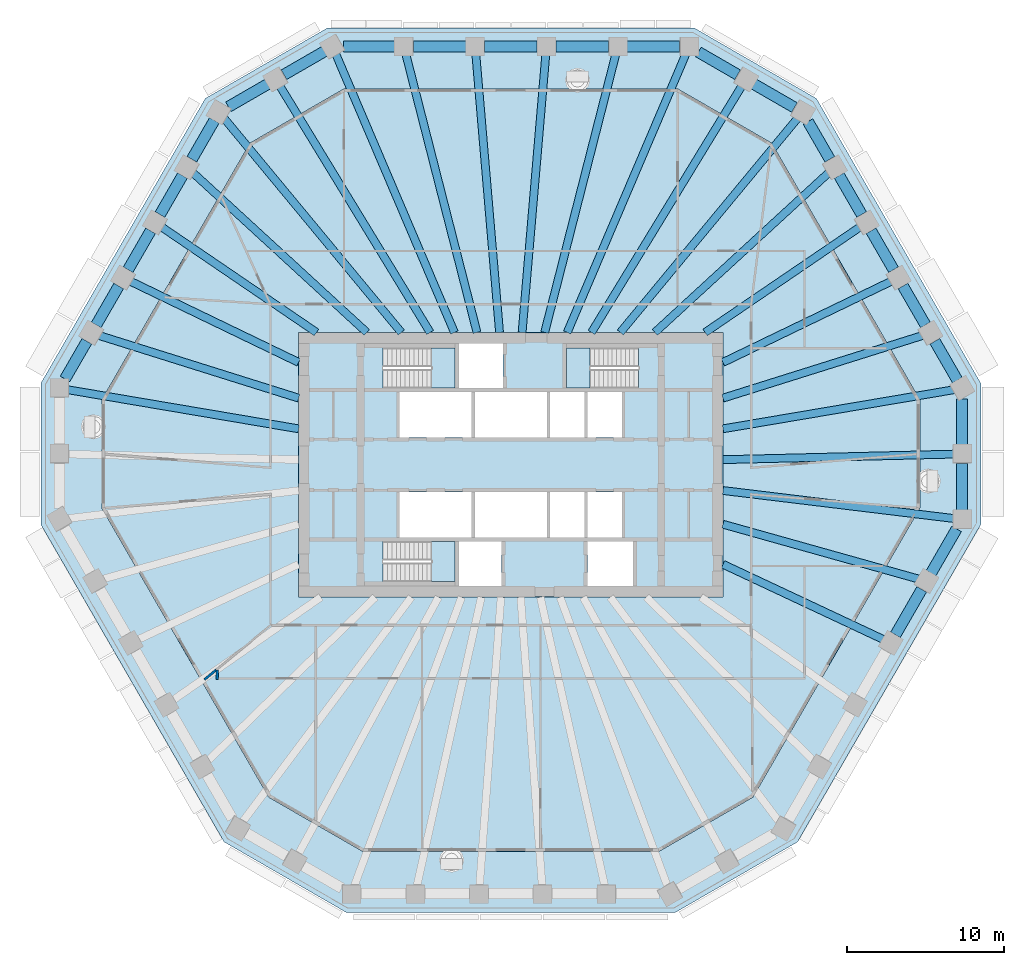
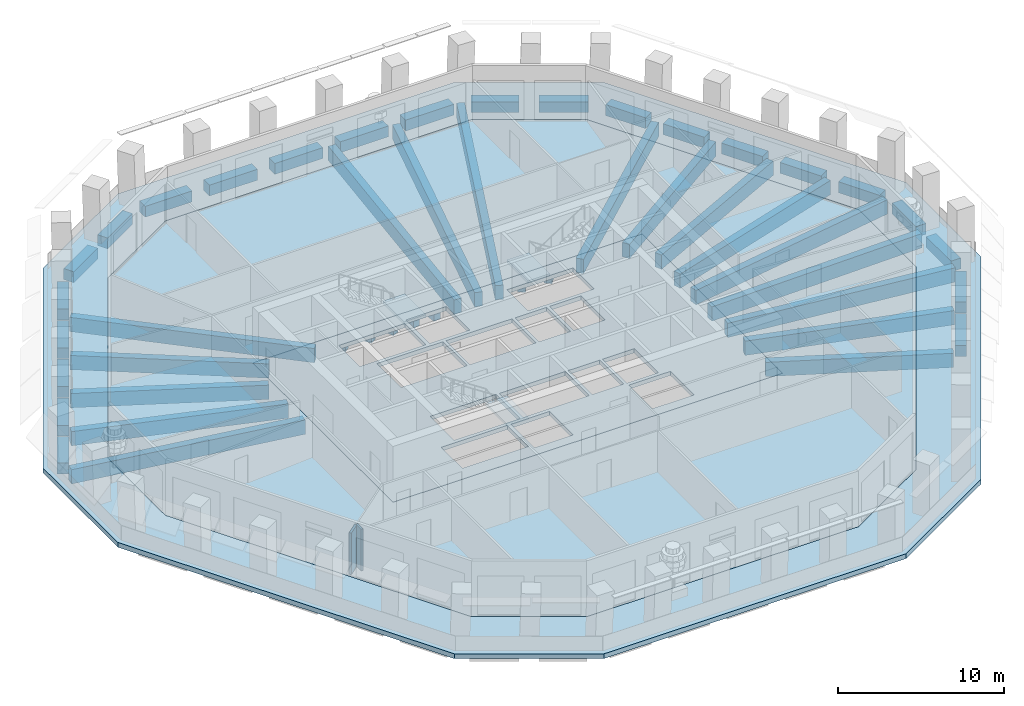
# One storey, part 2 of 13: 47 beams, 6 slabs, 2 walls, 3 elements without a shape of their own.
"""IFC4 building model written with IfcOpenShell, lengths in metres."""

from ifc_helpers import new_model, si_unit, direction, frame, frame_2d, origin, origin_2d, place, context, subcontext, project, spatial, polyline, rectangle, outline, extrude, material, layer, layer_set, material_profile, profile_set, type_object, element, aggregate, save


model = new_model("IFC4")

# Units and contexts
model_context = context("Model", 3, precision=1e-05, world=origin(), true_north=direction((0.0, 1.0)))
body_context = subcontext(model_context, "Body", "Model", "MODEL_VIEW")
ifc_project = project(units=[si_unit("LENGTHUNIT", "METRE"), si_unit("AREAUNIT", "SQUARE_METRE"), si_unit("VOLUMEUNIT", "CUBIC_METRE"), si_unit("PLANEANGLEUNIT", "RADIAN"), si_unit("MASSUNIT", "GRAM", prefix="KILO")], contexts=[model_context])

# Site, building, storey
site_placement = place(None, origin())
site = spatial("IfcSite", under=ifc_project, at=site_placement, CompositionType="ELEMENT")
building_placement = place(site_placement, origin())
building = spatial("IfcBuilding", under=site, at=building_placement, Name="Frailejon Research Tower", CompositionType="ELEMENT")
storey_placement = place(building_placement, frame((0.0, 0.0, 167.199951171875)))
storey = spatial("IfcBuildingStorey", under=building, at=storey_placement, Name="L36", CompositionType="ELEMENT", Elevation=167.199951171875)

# Beams
ifc_material_1 = material(Name="Concrete C60/75", Category="concrete")
ifc_material_profile_1 = material_profile(ifc_material_1, rectangle(XDim=0.5, YDim=1.050048828125, at=origin_2d()), Name="Girder 500x1050")
ifc_profile_set_1 = profile_set([ifc_material_profile_1], Name="Concrete C60/75")
beam_type_1 = type_object("IfcBeamType", Name="Girder 500x1050", PredefinedType="BEAM", material=ifc_profile_set_1)
beam_1_placement = place(storey_placement, frame((28.36083984375, -3.44140625, -0.824951171875), z_axis=(-0.992718787625, 0.120455006935, 0.0), x_axis=(-0.120455006935, -0.992718787625, 0.0)))
element("IfcBeam", 1, at=beam_1_placement, inside=storey, type_object=beam_type_1, Name="Girder 500x1050", PredefinedType="BEAM", context=body_context, shape_type="SweptSolid", body=[
    extrude(rectangle(XDim=0.5, YDim=1.050048828125, at=origin_2d()), origin(), (0.0, 0.0, 1.0), 14.91943359375),
])
beam_2_placement = place(storey_placement, frame((28.362060546875, 0.6806640625, -0.824951171875), z_axis=(-0.999712155975, -0.023991773514, 0.0), x_axis=(0.023991773514, -0.999712155975, 0.0)))
element("IfcBeam", 2, at=beam_2_placement, inside=storey, type_object=beam_type_1, Name="Girder 500x1050", PredefinedType="BEAM", context=body_context, shape_type="SweptSolid", body=[
    extrude(rectangle(XDim=0.5, YDim=1.050048828125, at=origin_2d()), origin(), (0.0, 0.0, 1.0), 14.816162109375),
])
beam_3_placement = place(storey_placement, frame((28.328857421875, 4.797119140625, -0.824951171875), z_axis=(-0.985962699238, -0.166965732149, 0.0), x_axis=(0.166965732149, -0.985962699238, 0.0)))
element("IfcBeam", 3, at=beam_3_placement, inside=storey, type_object=beam_type_1, Name="Girder 500x1050", PredefinedType="BEAM", context=body_context, shape_type="SweptSolid", body=[
    extrude(rectangle(XDim=0.5, YDim=1.050048828125, at=origin_2d()), origin(), (0.0, 0.0, 1.0), 14.9892578125),
])
beam_4_placement = place(storey_placement, frame((26.33251953125, 8.266357421875, -0.824951171875), z_axis=(-0.9540929966, -0.299510523753, 0.0), x_axis=(0.299510523753, -0.9540929966, 0.0)))
element("IfcBeam", 4, at=beam_4_placement, inside=storey, type_object=beam_type_1, Name="Girder 500x1050", PredefinedType="BEAM", context=body_context, shape_type="SweptSolid", body=[
    extrude(rectangle(XDim=0.5, YDim=1.050048828125, at=origin_2d()), origin(), (0.0, 0.0, 1.0), 13.3974609375),
])
beam_5_placement = place(storey_placement, frame((24.3330078125, 11.736083984375, -0.824951171875), z_axis=(-0.900711260926, -0.434418259792, 0.0), x_axis=(0.434418259792, -0.900711260926, 0.0)))
element("IfcBeam", 5, at=beam_5_placement, inside=storey, type_object=beam_type_1, Name="Girder 500x1050", PredefinedType="BEAM", context=body_context, shape_type="SweptSolid", body=[
    extrude(rectangle(XDim=0.5, YDim=1.050048828125, at=origin_2d()), origin(), (0.0, 0.0, 1.0), 11.9716796875),
])
beam_6_placement = place(storey_placement, frame((22.330322265625, 15.204833984375, -0.824951171875), z_axis=(-0.826577501841, -0.562822914823, 0.0), x_axis=(0.562822914823, -0.826577501841, 0.0)))
element("IfcBeam", 6, at=beam_6_placement, inside=storey, type_object=beam_type_1, Name="Girder 500x1050", PredefinedType="BEAM", context=body_context, shape_type="SweptSolid", body=[
    extrude(rectangle(XDim=0.5, YDim=1.050048828125, at=origin_2d()), origin(), (0.0, 0.0, 1.0), 12.001708984375),
])
beam_7_placement = place(storey_placement, frame((20.3251953125, 18.67138671875, -0.824951171875), z_axis=(-0.736429993281, -0.676513758172, 0.0), x_axis=(0.676513758172, -0.736429993281, 0.0)))
element("IfcBeam", 7, at=beam_7_placement, inside=storey, type_object=beam_type_1, Name="Girder 500x1050", PredefinedType="BEAM", context=body_context, shape_type="SweptSolid", body=[
    extrude(rectangle(XDim=0.5, YDim=1.050048828125, at=origin_2d()), origin(), (0.0, 0.0, 1.0), 15.10888671875),
])
beam_8_placement = place(storey_placement, frame((18.3388671875, 22.1591796875, -0.824951171875), z_axis=(-0.637572206503, -0.770390603197, 0.0), x_axis=(0.770390603197, -0.637572206503, 0.0)))
element("IfcBeam", 8, at=beam_8_placement, inside=storey, type_object=beam_type_1, Name="Girder 500x1050", PredefinedType="BEAM", context=body_context, shape_type="SweptSolid", body=[
    extrude(rectangle(XDim=0.5, YDim=1.050048828125, at=origin_2d()), origin(), (0.0, 0.0, 1.0), 17.795166015625),
])
beam_9_placement = place(storey_placement, frame((14.770263671875, 24.221923828125, -0.824951171875), z_axis=(-0.520622227835, -0.853787149051, 0.0), x_axis=(0.853787149051, -0.520622227835, 0.0)))
element("IfcBeam", 9, at=beam_9_placement, inside=storey, type_object=beam_type_1, Name="Girder 500x1050", PredefinedType="BEAM", context=body_context, shape_type="SweptSolid", body=[
    extrude(rectangle(XDim=0.5, YDim=1.050048828125, at=origin_2d()), origin(), (0.0, 0.0, 1.0), 18.472900390625),
])
beam_10_placement = place(storey_placement, frame((11.181396484375, 26.238037109375, -0.824951171875), z_axis=(-0.392033453242, -0.919950961486, 0.0), x_axis=(0.919950961486, -0.392033453242, 0.0)))
element("IfcBeam", 10, at=beam_10_placement, inside=storey, type_object=beam_type_1, Name="Girder 500x1050", PredefinedType="BEAM", context=body_context, shape_type="SweptSolid", body=[
    extrude(rectangle(XDim=0.5, YDim=1.050048828125, at=origin_2d()), origin(), (0.0, 0.0, 1.0), 19.3359375),
])
beam_11_placement = place(storey_placement, frame((6.710693359375, 26.245361328125, -0.824951171875), z_axis=(-0.247717488941, -0.968832310399, 0.0), x_axis=(0.968832310399, -0.247717488941, 0.0)))
element("IfcBeam", 11, at=beam_11_placement, inside=storey, type_object=beam_type_1, Name="Girder 500x1050", PredefinedType="BEAM", context=body_context, shape_type="SweptSolid", body=[
    extrude(rectangle(XDim=0.5, YDim=1.050048828125, at=origin_2d()), origin(), (0.0, 0.0, 1.0), 18.367919921875),
])
for number, where, z_axis, x_axis, name in (
    (12, (2.2373046875, 26.24951171875, -0.824951171875), (-0.084923965046, -0.996387434767, 0.0), (0.996387434767, -0.084923965046, 0.0), "Girder 500x1050"),
    (13, (-2.2373046875, 26.24951171875, -0.824951171875), (0.084923965046, -0.996387434767, 0.0), (0.996387434767, 0.084923965046, 0.0), "Girder 500x1050"),
):
    element("IfcBeam", number, at=place(storey_placement, frame(where, z_axis=z_axis, x_axis=x_axis)), inside=storey, type_object=beam_type_1, Name=name, PredefinedType="BEAM", context=body_context, shape_type="SweptSolid", body=[
        extrude(rectangle(XDim=0.5, YDim=1.050048828125, at=origin_2d()), origin(), (0.0, 0.0, 1.0), 17.864013671875),
    ])
beam_12_placement = place(storey_placement, frame((-6.710693359375, 26.245361328125, -0.824951171875), z_axis=(0.247717488941, -0.968832310399, 0.0), x_axis=(0.968832310399, 0.247717488941, 0.0)))
element("IfcBeam", 14, at=beam_12_placement, inside=storey, type_object=beam_type_1, Name="Girder 500x1050", PredefinedType="BEAM", context=body_context, shape_type="SweptSolid", body=[
    extrude(rectangle(XDim=0.5, YDim=1.050048828125, at=origin_2d()), origin(), (0.0, 0.0, 1.0), 18.367919921875),
])
beam_13_placement = place(storey_placement, frame((-11.2001953125, 26.281982421875, -0.824951171875), z_axis=(0.392036584053, -0.919949627297, 0.0), x_axis=(0.919949627297, 0.392036584053, 0.0)))
element("IfcBeam", 15, at=beam_13_placement, inside=storey, type_object=beam_type_1, Name="Girder 500x1050", PredefinedType="BEAM", context=body_context, shape_type="SweptSolid", body=[
    extrude(rectangle(XDim=0.5, YDim=1.050048828125, at=origin_2d()), origin(), (0.0, 0.0, 1.0), 19.3837890625),
])
beam_14_placement = place(storey_placement, frame((-14.770263671875, 24.221923828125, -0.824951171875), z_axis=(0.520622227835, -0.853787149051, 0.0), x_axis=(0.853787149051, 0.520622227835, 0.0)))
element("IfcBeam", 16, at=beam_14_placement, inside=storey, type_object=beam_type_1, Name="Girder 500x1050", PredefinedType="BEAM", context=body_context, shape_type="SweptSolid", body=[
    extrude(rectangle(XDim=0.5, YDim=1.050048828125, at=origin_2d()), origin(), (0.0, 0.0, 1.0), 18.472900390625),
])
beam_15_placement = place(storey_placement, frame((-18.31884765625, 22.134765625, -0.824951171875), z_axis=(0.637578402576, -0.77038547531, 0.0), x_axis=(0.77038547531, 0.637578402576, 0.0)))
element("IfcBeam", 17, at=beam_15_placement, inside=storey, type_object=beam_type_1, Name="Girder 500x1050", PredefinedType="BEAM", context=body_context, shape_type="SweptSolid", body=[
    extrude(rectangle(XDim=0.5, YDim=1.050048828125, at=origin_2d()), origin(), (0.0, 0.0, 1.0), 17.763671875),
])
beam_16_placement = place(storey_placement, frame((-20.3251953125, 18.67138671875, -0.824951171875), z_axis=(0.736429993281, -0.676513758172, 0.0), x_axis=(0.676513758172, 0.736429993281, 0.0)))
element("IfcBeam", 18, at=beam_16_placement, inside=storey, type_object=beam_type_1, Name="Girder 500x1050", PredefinedType="BEAM", context=body_context, shape_type="SweptSolid", body=[
    extrude(rectangle(XDim=0.5, YDim=1.050048828125, at=origin_2d()), origin(), (0.0, 0.0, 1.0), 15.10888671875),
])
beam_17_placement = place(storey_placement, frame((-22.330322265625, 15.204833984375, -0.824951171875), z_axis=(0.826577501841, -0.562822914823, 0.0), x_axis=(0.562822914823, 0.826577501841, 0.0)))
element("IfcBeam", 19, at=beam_17_placement, inside=storey, type_object=beam_type_1, Name="Girder 500x1050", PredefinedType="BEAM", context=body_context, shape_type="SweptSolid", body=[
    extrude(rectangle(XDim=0.5, YDim=1.050048828125, at=origin_2d()), origin(), (0.0, 0.0, 1.0), 12.001708984375),
])
beam_18_placement = place(storey_placement, frame((-24.3330078125, 11.736083984375, -0.824951171875), z_axis=(0.900711260926, -0.434418259792, 0.0), x_axis=(0.434418259792, 0.900711260926, 0.0)))
element("IfcBeam", 20, at=beam_18_placement, inside=storey, type_object=beam_type_1, Name="Girder 500x1050", PredefinedType="BEAM", context=body_context, shape_type="SweptSolid", body=[
    extrude(rectangle(XDim=0.5, YDim=1.050048828125, at=origin_2d()), origin(), (0.0, 0.0, 1.0), 11.9716796875),
])
beam_19_placement = place(storey_placement, frame((-26.33251953125, 8.266357421875, -0.824951171875), z_axis=(0.9540929966, -0.299510523753, 0.0), x_axis=(0.299510523753, 0.9540929966, 0.0)))
element("IfcBeam", 21, at=beam_19_placement, inside=storey, type_object=beam_type_1, Name="Girder 500x1050", PredefinedType="BEAM", context=body_context, shape_type="SweptSolid", body=[
    extrude(rectangle(XDim=0.5, YDim=1.050048828125, at=origin_2d()), origin(), (0.0, 0.0, 1.0), 13.3974609375),
])
beam_20_placement = place(storey_placement, frame((-28.35986328125, 4.80224609375, -0.824951171875), z_axis=(0.985964054565, -0.166957728499, 0.0), x_axis=(0.166957728499, 0.985964054565, 0.0)))
element("IfcBeam", 22, at=beam_20_placement, inside=storey, type_object=beam_type_1, Name="Girder 500x1050", PredefinedType="BEAM", context=body_context, shape_type="SweptSolid", body=[
    extrude(rectangle(XDim=0.5, YDim=1.050048828125, at=origin_2d()), origin(), (0.0, 0.0, 1.0), 15.020751953125),
])
beam_21_placement = place(storey_placement, frame((23.851318359375, -11.187255859375, -0.824951171875), z_axis=(-0.905355317702, 0.424654858336, 0.0), x_axis=(-0.424654858336, -0.905355317702, 0.0)))
element("IfcBeam", 23, at=beam_21_placement, inside=storey, type_object=beam_type_1, Name="Girder 500x1050", PredefinedType="BEAM", context=body_context, shape_type="SweptSolid", body=[
    extrude(rectangle(XDim=0.5, YDim=1.050048828125, at=origin_2d()), origin(), (0.0, 0.0, 1.0), 11.378173828125),
])
beam_22_placement = place(storey_placement, frame((26.08447265625, -7.31103515625, -0.824951171875), z_axis=(-0.962893280224, 0.269882439034, 0.0), x_axis=(-0.269882439034, -0.962893280224, 0.0)))
element("IfcBeam", 24, at=beam_22_placement, inside=storey, type_object=beam_type_1, Name="Girder 500x1050", PredefinedType="BEAM", context=body_context, shape_type="SweptSolid", body=[
    extrude(rectangle(XDim=0.5, YDim=1.050048828125, at=origin_2d()), origin(), (0.0, 0.0, 1.0), 13.017578125),
])
ifc_material_2 = material(Name="Concrete C60/75", Category="concrete")
ifc_material_profile_2 = material_profile(ifc_material_2, rectangle(XDim=0.699951171875, YDim=0.800048828125, at=origin_2d()), Name="Spandrel 700x800")
ifc_profile_set_2 = profile_set([ifc_material_profile_2], Name="Concrete C60/75")
beam_type_2 = type_object("IfcBeamType", Name="Spandrel 700x800", PredefinedType="BEAM", material=ifc_profile_set_2)
beam_23_placement = place(storey_placement, frame((28.81201171875, -2.896240234375, -0.75), z_axis=(0.0, 1.0, 0.0), x_axis=(-1.0, 0.0, 0.0)))
element("IfcBeam", 25, at=beam_23_placement, inside=storey, type_object=beam_type_2, Name="Spandrel 700x800", PredefinedType="BEAM", context=body_context, shape_type="SweptSolid", body=[
    extrude(rectangle(XDim=0.699951171875, YDim=0.800048828125, at=origin_2d()), origin(), (0.0, 0.0, 1.0), 2.987548828125),
])
beam_24_placement = place(storey_placement, frame((28.81201171875, 1.29150390625, -0.75), z_axis=(0.0, 1.0, 0.0), x_axis=(-1.0, 0.0, 0.0)))
element("IfcBeam", 26, at=beam_24_placement, inside=storey, type_object=beam_type_2, Name="Spandrel 700x800", PredefinedType="BEAM", context=body_context, shape_type="SweptSolid", body=[
    extrude(rectangle(XDim=0.699951171875, YDim=0.800048828125, at=origin_2d()), origin(), (0.0, 0.0, 1.0), 2.89453125),
])
beam_25_placement = place(storey_placement, frame((28.511962890625, 5.3984375, -0.75), z_axis=(-0.500024102653, 0.866011487664, 0.0), x_axis=(-0.866011487664, -0.500024102653, 0.0)))
element("IfcBeam", 27, at=beam_25_placement, inside=storey, type_object=beam_type_2, Name="Spandrel 700x800", PredefinedType="BEAM", context=body_context, shape_type="SweptSolid", body=[
    extrude(rectangle(XDim=0.699951171875, YDim=0.800048828125, at=origin_2d()), origin(), (0.0, 0.0, 1.0), 2.872314453125),
])
beam_26_placement = place(storey_placement, frame((26.475830078125, 8.92529296875, -0.75), z_axis=(-0.499997160258, 0.866027043304, 0.0), x_axis=(-0.866027043304, -0.499997160258, 0.0)))
element("IfcBeam", 28, at=beam_26_placement, inside=storey, type_object=beam_type_2, Name="Spandrel 700x800", PredefinedType="BEAM", context=body_context, shape_type="SweptSolid", body=[
    extrude(rectangle(XDim=0.699951171875, YDim=0.800048828125, at=origin_2d()), origin(), (0.0, 0.0, 1.0), 2.8720703125),
])
for number, where, z_axis, x_axis, name in (
    (29, (24.439697265625, 12.451904296875, -0.75), (-0.499960354577, 0.86604829187, 0.0), (-0.86604829187, -0.499960354577, 0.0), "Spandrel 700x800"),
    (30, (22.403564453125, 15.978515625, -0.75), (-0.500024102653, 0.866011487664, 0.0), (-0.866011487664, -0.500024102653, 0.0), "Spandrel 700x800"),
):
    element("IfcBeam", number, at=place(storey_placement, frame(where, z_axis=z_axis, x_axis=x_axis)), inside=storey, type_object=beam_type_2, Name=name, PredefinedType="BEAM", context=body_context, shape_type="SweptSolid", body=[
        extrude(rectangle(XDim=0.699951171875, YDim=0.800048828125, at=origin_2d()), origin(), (0.0, 0.0, 1.0), 2.872314453125),
    ])
beam_27_placement = place(storey_placement, frame((20.367431640625, 19.50537109375, -0.75), z_axis=(-0.499993655377, 0.866029066823, 0.0), x_axis=(-0.866029066823, -0.499993655377, 0.0)))
element("IfcBeam", 31, at=beam_27_placement, inside=storey, type_object=beam_type_2, Name="Spandrel 700x800", PredefinedType="BEAM", context=body_context, shape_type="SweptSolid", body=[
    extrude(rectangle(XDim=0.699951171875, YDim=0.800048828125, at=origin_2d()), origin(), (0.0, 0.0, 1.0), 2.779296875),
])
beam_28_placement = place(storey_placement, frame((18.11181640625, 22.8125, -0.75), z_axis=(-0.866052229876, 0.499953532967, 0.0), x_axis=(-0.499953532967, -0.866052229876, 0.0)))
element("IfcBeam", 32, at=beam_28_placement, inside=storey, type_object=beam_type_2, Name="Spandrel 700x800", PredefinedType="BEAM", context=body_context, shape_type="SweptSolid", body=[
    extrude(rectangle(XDim=0.699951171875, YDim=0.800048828125, at=origin_2d()), origin(), (0.0, 0.0, 1.0), 2.987548828125),
])
beam_29_placement = place(storey_placement, frame((14.485107421875, 24.90625, -0.75), z_axis=(-0.866033897268, 0.499985288567, 0.0), x_axis=(-0.499985288567, -0.866033897268, 0.0)))
element("IfcBeam", 33, at=beam_29_placement, inside=storey, type_object=beam_type_2, Name="Spandrel 700x800", PredefinedType="BEAM", context=body_context, shape_type="SweptSolid", body=[
    extrude(rectangle(XDim=0.699951171875, YDim=0.800048828125, at=origin_2d()), origin(), (0.0, 0.0, 1.0), 2.89453125),
])
for number, where, z_axis, x_axis, name in (
    (34, (10.7783203125, 26.699951171875, -0.75), (-1.0, 0.0, 0.0), (0.0, -1.0, 0.0), "Spandrel 700x800"),
    (35, (6.226806640625, 26.699951171875, -0.75), (-1.0, 0.0, 0.0), (0.0, -1.0, 0.0), "Spandrel 700x800"),
):
    element("IfcBeam", number, at=place(storey_placement, frame(where, z_axis=z_axis, x_axis=x_axis)), inside=storey, type_object=beam_type_2, Name=name, PredefinedType="BEAM", context=body_context, shape_type="SweptSolid", body=[
        extrude(rectangle(XDim=0.699951171875, YDim=0.800048828125, at=origin_2d()), origin(), (0.0, 0.0, 1.0), 3.351318359375),
    ])
beam_30_placement = place(storey_placement, frame((1.675537109375, 26.699951171875, -0.75), z_axis=(-1.0, 0.0, 0.0), x_axis=(0.0, -1.0, 0.0)))
element("IfcBeam", 36, at=beam_30_placement, inside=storey, type_object=beam_type_2, Name="Spandrel 700x800", PredefinedType="BEAM", context=body_context, shape_type="SweptSolid", body=[
    extrude(rectangle(XDim=0.699951171875, YDim=0.800048828125, at=origin_2d()), origin(), (0.0, 0.0, 1.0), 3.35107421875),
])
beam_31_placement = place(storey_placement, frame((-2.87548828125, 26.699951171875, -0.75), z_axis=(-1.0, 0.0, 0.0), x_axis=(0.0, -1.0, 0.0)))
element("IfcBeam", 37, at=beam_31_placement, inside=storey, type_object=beam_type_2, Name="Spandrel 700x800", PredefinedType="BEAM", context=body_context, shape_type="SweptSolid", body=[
    extrude(rectangle(XDim=0.699951171875, YDim=0.800048828125, at=origin_2d()), origin(), (0.0, 0.0, 1.0), 3.351318359375),
])
beam_32_placement = place(storey_placement, frame((-7.427001953125, 26.699951171875, -0.75), z_axis=(-1.0, 0.0, 0.0), x_axis=(0.0, -1.0, 0.0)))
element("IfcBeam", 38, at=beam_32_placement, inside=storey, type_object=beam_type_2, Name="Spandrel 700x800", PredefinedType="BEAM", context=body_context, shape_type="SweptSolid", body=[
    extrude(rectangle(XDim=0.699951171875, YDim=0.800048828125, at=origin_2d()), origin(), (0.0, 0.0, 1.0), 3.25830078125),
])
beam_33_placement = place(storey_placement, frame((-11.897705078125, 26.39990234375, -0.75), z_axis=(-0.866052229876, -0.499953532967, 0.0), x_axis=(0.499953532967, -0.866052229876, 0.0)))
element("IfcBeam", 39, at=beam_33_placement, inside=storey, type_object=beam_type_2, Name="Spandrel 700x800", PredefinedType="BEAM", context=body_context, shape_type="SweptSolid", body=[
    extrude(rectangle(XDim=0.699951171875, YDim=0.800048828125, at=origin_2d()), origin(), (0.0, 0.0, 1.0), 2.987548828125),
])
beam_34_placement = place(storey_placement, frame((-15.5244140625, 24.30615234375, -0.75), z_axis=(-0.866033897268, -0.499985288567, 0.0), x_axis=(0.499985288567, -0.866033897268, 0.0)))
element("IfcBeam", 40, at=beam_34_placement, inside=storey, type_object=beam_type_2, Name="Spandrel 700x800", PredefinedType="BEAM", context=body_context, shape_type="SweptSolid", body=[
    extrude(rectangle(XDim=0.699951171875, YDim=0.800048828125, at=origin_2d()), origin(), (0.0, 0.0, 1.0), 2.89453125),
])
for number, where, z_axis, x_axis, name in (
    (41, (-18.931396484375, 21.992919921875, -0.75), (-0.499960354577, -0.86604829187, 0.0), (0.86604829187, -0.499960354577, 0.0), "Spandrel 700x800"),
    (42, (-20.96728515625, 18.466064453125, -0.75), (-0.500024102653, -0.866011487664, 0.0), (0.866011487664, -0.500024102653, 0.0), "Spandrel 700x800"),
    (43, (-23.003662109375, 14.939453125, -0.75), (-0.499960354577, -0.86604829187, 0.0), (0.86604829187, -0.499960354577, 0.0), "Spandrel 700x800"),
):
    element("IfcBeam", number, at=place(storey_placement, frame(where, z_axis=z_axis, x_axis=x_axis)), inside=storey, type_object=beam_type_2, Name=name, PredefinedType="BEAM", context=body_context, shape_type="SweptSolid", body=[
        extrude(rectangle(XDim=0.699951171875, YDim=0.800048828125, at=origin_2d()), origin(), (0.0, 0.0, 1.0), 2.872314453125),
    ])
beam_35_placement = place(storey_placement, frame((-25.039794921875, 11.41259765625, -0.75), z_axis=(-0.499997160258, -0.866027043304, 0.0), x_axis=(0.866027043304, -0.499997160258, 0.0)))
element("IfcBeam", 44, at=beam_35_placement, inside=storey, type_object=beam_type_2, Name="Spandrel 700x800", PredefinedType="BEAM", context=body_context, shape_type="SweptSolid", body=[
    extrude(rectangle(XDim=0.699951171875, YDim=0.800048828125, at=origin_2d()), origin(), (0.0, 0.0, 1.0), 2.8720703125),
])
beam_36_placement = place(storey_placement, frame((-27.07568359375, 7.885986328125, -0.75), z_axis=(-0.500059532697, -0.865991029837, 0.0), x_axis=(0.865991029837, -0.500059532697, 0.0)))
element("IfcBeam", 45, at=beam_36_placement, inside=storey, type_object=beam_type_2, Name="Spandrel 700x800", PredefinedType="BEAM", context=body_context, shape_type="SweptSolid", body=[
    extrude(rectangle(XDim=0.699951171875, YDim=0.800048828125, at=origin_2d()), origin(), (0.0, 0.0, 1.0), 2.779541015625),
])
beam_37_placement = place(storey_placement, frame((24.560791015625, -10.859619140625, -0.75), z_axis=(0.499970495397, 0.866042437605, 0.0), x_axis=(-0.866042437605, 0.499970495397, 0.0)))
element("IfcBeam", 46, at=beam_37_placement, inside=storey, type_object=beam_type_2, Name="Spandrel 700x800", PredefinedType="BEAM", context=body_context, shape_type="SweptSolid", body=[
    extrude(rectangle(XDim=0.699951171875, YDim=0.800048828125, at=origin_2d()), origin(), (0.0, 0.0, 1.0), 3.351318359375),
])
beam_38_placement = place(storey_placement, frame((26.836181640625, -6.918212890625, -0.75), z_axis=(0.500022939057, 0.866012159509, 0.0), x_axis=(-0.866012159509, 0.500022939057, 0.0)))
element("IfcBeam", 47, at=beam_38_placement, inside=storey, type_object=beam_type_2, Name="Spandrel 700x800", PredefinedType="BEAM", context=body_context, shape_type="SweptSolid", body=[
    extrude(rectangle(XDim=0.699951171875, YDim=0.800048828125, at=origin_2d()), origin(), (0.0, 0.0, 1.0), 3.258544921875),
])

# Slabs
ifc_material_3 = material(Name="Concrete C60/75", Category="concrete")
ifc_layer_1 = layer(ifc_material_3, 0.300048828125)
ifc_layer_set_1 = layer_set([ifc_layer_1], Name="Core floor slab 300 C60/75")
slab_type_1 = type_object("IfcSlabType", Name="Core floor slab 300 C60/75", PredefinedType="FLOOR", material=ifc_layer_set_1)
slab_1_placement = place(storey_placement, frame((0.0, 0.0, -0.300048828125)))
element("IfcSlab", 48, at=slab_1_placement, inside=storey, type_object=slab_type_1, Name="Core floor slab", PredefinedType="FLOOR", context=body_context, shape_type="SweptSolid", body=[
    extrude(outline(polyline([(13.550048828125, -8.449951171875), (13.550048828125, 8.449951171875), (-13.550048828125, 8.449951171875), (-13.550048828125, -8.449951171875), (13.550048828125, -8.449951171875)]), holes=[polyline([(-2.5, 1.75), (-2.5, 4.64990234375), (-7.10009765625, 4.64990234375), (-7.10009765625, 1.75), (-2.5, 1.75)]), polyline([(2.300048828125, 1.75), (2.300048828125, 4.64990234375), (-2.300048828125, 4.64990234375), (-2.300048828125, 1.75), (2.300048828125, 1.75)]), polyline([(4.699951171875, 1.75), (4.699951171875, 4.64990234375), (2.5, 4.64990234375), (2.5, 1.75), (4.699951171875, 1.75)]), polyline([(7.10009765625, 1.75), (7.10009765625, 4.64990234375), (4.89990234375, 4.64990234375), (4.89990234375, 1.75), (7.10009765625, 1.75)]), polyline([(-2.5, -4.64990234375), (-2.5, -1.75), (-7.10009765625, -1.75), (-7.10009765625, -4.64990234375), (-2.5, -4.64990234375)]), polyline([(2.300048828125, -4.64990234375), (2.300048828125, -1.75), (-2.300048828125, -1.75), (-2.300048828125, -4.64990234375), (2.300048828125, -4.64990234375)]), polyline([(4.699951171875, -4.64990234375), (4.699951171875, -1.75), (2.5, -1.75), (2.5, -4.64990234375), (4.699951171875, -4.64990234375)]), polyline([(7.10009765625, -4.64990234375), (7.10009765625, -1.75), (4.89990234375, -1.75), (4.89990234375, -4.64990234375), (7.10009765625, -4.64990234375)]), polyline([(-8.14697265625, 4.89990234375), (-3.550048828125, 4.89990234375), (-3.550048828125, 7.449951171875), (-8.14697265625, 7.449951171875), (-8.14697265625, 4.89990234375)]), polyline([(-8.14697265625, -7.449951171875), (-3.550048828125, -7.449951171875), (-3.550048828125, -4.89990234375), (-8.14697265625, -4.89990234375), (-8.14697265625, -7.449951171875)]), polyline([(8.14697265625, 7.449951171875), (3.550048828125, 7.449951171875), (3.550048828125, 4.89990234375), (8.14697265625, 4.89990234375), (8.14697265625, 7.449951171875)]), polyline([(-0.60009765625, -7.75), (-0.60009765625, -4.89990234375), (-3.300048828125, -4.89990234375), (-3.300048828125, -7.75), (-0.60009765625, -7.75)]), polyline([(7.800048828125, -7.75), (7.800048828125, -4.89990234375), (4.89990234375, -4.89990234375), (4.89990234375, -7.75), (7.800048828125, -7.75)]), polyline([(-0.5, 4.89990234375), (-0.5, 7.75), (-3.300048828125, 7.75), (-3.300048828125, 4.89990234375), (-0.5, 4.89990234375)])]), origin(), (0.0, 0.0, 1.0), 0.300048828125),
])
ifc_material_4 = material(Name="Concrete C40/50", Category="concrete")
ifc_layer_2 = layer(ifc_material_4, 0.35009765625)
ifc_layer_set_2 = layer_set([ifc_layer_2], Name="Loggia slab 350")
slab_type_2 = type_object("IfcSlabType", Name="Loggia slab 350", PredefinedType="USERDEFINED", material=ifc_layer_set_2)
slab_2_placement = place(storey_placement, frame((0.0, 0.0, -0.349853515625)))
element("IfcSlab", 49, at=slab_2_placement, inside=storey, type_object=slab_type_2, Name="Loggia slab L36", ObjectType="LOGGIA", PredefinedType="USERDEFINED", context=body_context, shape_type="SweptSolid", body=[
    extrude(outline(polyline([(18.312255859375, -24.082275390625), (10.502197265625, -28.59130859375), (-10.502197265625, -28.59130859375), (-18.312255859375, -24.082275390625), (-30.011962890625, -3.817626953125), (-30.011962890625, 5.200439453125), (-19.509765625, 23.390869140625), (-11.69970703125, 27.89990234375), (11.69970703125, 27.89990234375), (19.509765625, 23.390869140625), (30.011962890625, 5.200439453125), (30.011962890625, -3.817626953125), (18.312255859375, -24.082275390625)]), holes=[polyline([(26.112060546875, 4.155517578125), (16.65478515625, 20.535888671875), (10.65478515625, 24.0), (-10.65478515625, 24.0), (-16.65478515625, 20.535888671875), (-26.112060546875, 4.155517578125), (-26.112060546875, -2.772705078125), (-15.457275390625, -21.227294921875), (-9.457275390625, -24.69140625), (9.457275390625, -24.69140625), (15.457275390625, -21.227294921875), (26.112060546875, -2.772705078125), (26.112060546875, 4.155517578125)])]), origin(), (0.0, 0.0, 1.0), 0.349853515625),
])
ifc_material_5 = material(Name="Concrete C40/50", Category="concrete")
ifc_layer_3 = layer(ifc_material_5, 0.300048828125)
ifc_layer_set_3 = layer_set([ifc_layer_3], Name="Slab typical 300")
slab_type_3 = type_object("IfcSlabType", Name="Slab typical 300", PredefinedType="FLOOR", material=ifc_layer_set_3)
slab_3_placement = place(storey_placement, frame((0.0, 0.0, -0.300048828125)))
element("IfcSlab", 50, at=slab_3_placement, inside=storey, type_object=slab_type_3, Name="Floor slab L36", PredefinedType="FLOOR", context=body_context, shape_type="SweptSolid", body=[
    extrude(outline(polyline([(26.112060546875, -2.772705078125), (26.112060546875, 4.155517578125), (16.65478515625, 20.535888671875), (10.65478515625, 24.0), (-10.65478515625, 24.0), (-16.65478515625, 20.535888671875), (-26.112060546875, 4.155517578125), (-26.112060546875, -2.772705078125), (-15.457275390625, -21.227294921875), (-9.457275390625, -24.69140625), (9.457275390625, -24.69140625), (15.457275390625, -21.227294921875), (26.112060546875, -2.772705078125)]), holes=[polyline([(13.550048828125, -8.449951171875), (-13.550048828125, -8.449951171875), (-13.550048828125, 8.449951171875), (13.550048828125, 8.449951171875), (13.550048828125, -8.449951171875)])]), origin(), (0.0, 0.0, 1.0), 0.300048828125),
])

# Stair, slab
ifc_material_6 = material(Name="Concrete C50/60", Category="concrete")
stair_type = type_object("IfcStairType", Name="Exit stair 24 risers", PredefinedType="HALF_TURN_STAIR", material=ifc_material_6)
stair_1_placement = place(storey_placement, origin())
stair_1 = element("IfcStair", 51, at=stair_1_placement, inside=storey, type_object=stair_type, Name="L36 Exit stair ST1", PredefinedType="HALF_TURN_STAIR")
ifc_material_7 = material(Name="Concrete C50/60", Category="concrete")
ifc_layer_4 = layer(ifc_material_7, 0.199951171875)
ifc_layer_set_4 = layer_set([ifc_layer_4], Name="Stair landing slab 200")
slab_type_4 = type_object("IfcSlabType", Name="Stair landing slab 200", PredefinedType="LANDING", material=ifc_layer_set_4)
slab_4_placement = place(storey_placement, frame((0.0, 0.0, 2.0)))
slab_4 = element("IfcSlab", 52, at=slab_4_placement, type_object=slab_type_4, Name="ST1 landing 1", PredefinedType="LANDING", context=body_context, shape_type="SweptSolid", body=[
    extrude(outline(polyline([(-5.070068359375, 4.89990234375), (-3.550048828125, 4.89990234375), (-3.550048828125, 7.449951171875), (-5.070068359375, 7.449951171875), (-5.070068359375, 4.89990234375)])), origin(), (0.0, 0.0, 1.0), 0.199951171875),
])
aggregate(stair_1, [slab_4])

stair_2_placement = place(storey_placement, origin())
stair_2 = element("IfcStair", 53, at=stair_2_placement, inside=storey, type_object=stair_type, Name="L36 Exit stair ST2", PredefinedType="HALF_TURN_STAIR")
slab_5_placement = place(storey_placement, frame((0.0, 0.0, 2.0)))
slab_5 = element("IfcSlab", 54, at=slab_5_placement, type_object=slab_type_4, Name="ST2 landing 1", PredefinedType="LANDING", context=body_context, shape_type="SweptSolid", body=[
    extrude(outline(polyline([(-5.070068359375, -7.449951171875), (-3.550048828125, -7.449951171875), (-3.550048828125, -4.89990234375), (-5.070068359375, -4.89990234375), (-5.070068359375, -7.449951171875)])), origin(), (0.0, 0.0, 1.0), 0.199951171875),
])
aggregate(stair_2, [slab_5])

stair_3_placement = place(storey_placement, origin())
stair_3 = element("IfcStair", 55, at=stair_3_placement, inside=storey, type_object=stair_type, Name="L36 Exit stair ST3", PredefinedType="HALF_TURN_STAIR")
slab_6_placement = place(storey_placement, frame((0.0, 0.0, 2.0)))
slab_6 = element("IfcSlab", 56, at=slab_6_placement, type_object=slab_type_4, Name="ST3 landing 1", PredefinedType="LANDING", context=body_context, shape_type="SweptSolid", body=[
    extrude(outline(polyline([(5.070068359375, 7.449951171875), (3.550048828125, 7.449951171875), (3.550048828125, 4.89990234375), (5.070068359375, 4.89990234375), (5.070068359375, 7.449951171875)])), origin(), (0.0, 0.0, 1.0), 0.199951171875),
])
aggregate(stair_3, [slab_6])

# Walls
ifc_material_8 = material(Name="Gypsum board and masonry partition", Category="masonry")
ifc_layer_5 = layer(ifc_material_8, 0.14990234375)
ifc_layer_set_5 = layer_set([ifc_layer_5], Name="Laboratory partition, blockwork 150")
wall_type = type_object("IfcWallType", Name="Laboratory partition, blockwork 150", PredefinedType="PARTITIONING", material=ifc_layer_set_5)
wall_1_placement = place(storey_placement, frame((-19.5625, -13.716552734375, 0.0), z_axis=(0.0, 0.0, 1.0), x_axis=(0.772240248353, 0.635330621664, 0.0)))
element("IfcWall", 57, at=wall_1_placement, inside=storey, type_object=wall_type, Name="T:IW:L36:021", PredefinedType="PARTITIONING", context=body_context, shape_type="SweptSolid", body=[
    extrude(rectangle(XDim=0.977294921875, YDim=0.14990234375, at=frame_2d((0.48876953125, 0.0))), origin(), (0.0, 0.0, 1.0), 3.050048828125),
])
wall_2_placement = place(storey_placement, frame((-18.75, -13.72509765625, 0.0), z_axis=(0.0, 0.0, 1.0), x_axis=(0.0, 1.0, 0.0)))
element("IfcWall", 58, at=wall_2_placement, inside=storey, type_object=wall_type, Name="T:IW:L36:024", PredefinedType="PARTITIONING", context=body_context, shape_type="SweptSolid", body=[
    extrude(rectangle(XDim=0.627197265625, YDim=0.14990234375, at=frame_2d((0.3134765625, 0.0))), origin(), (0.0, 0.0, 1.0), 3.050048828125),
])

save(model, "model.ifc")
